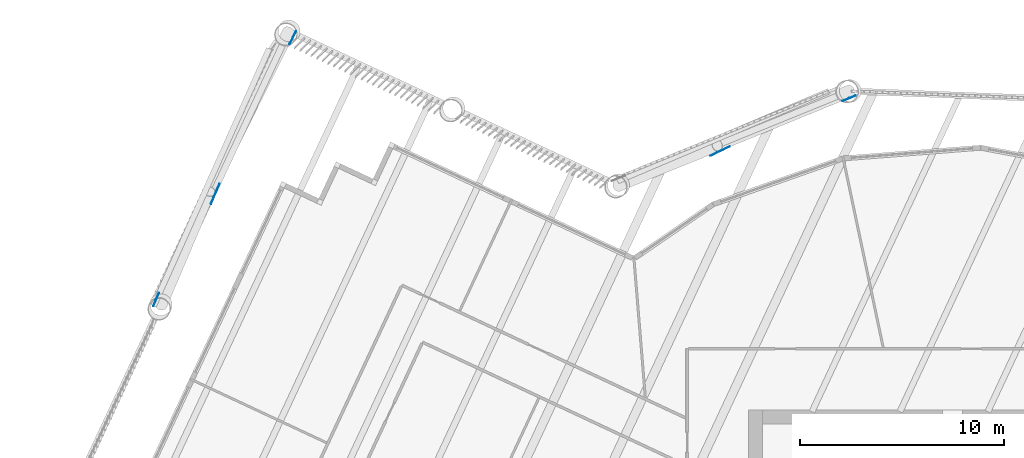
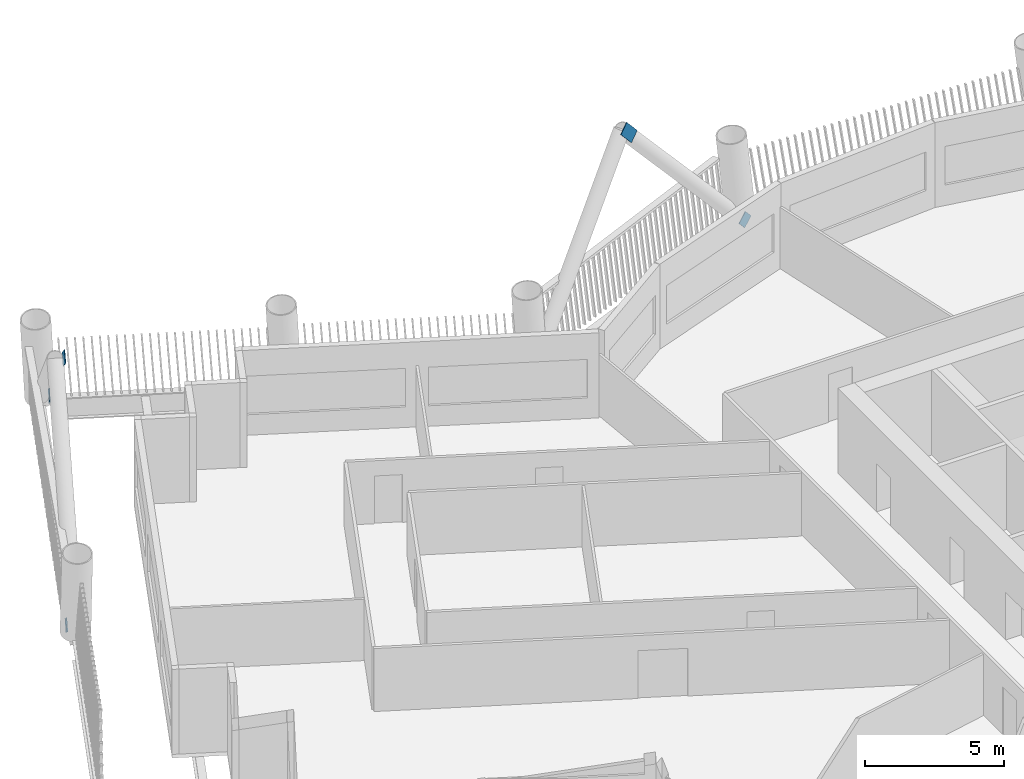
# One storey, part 11 of 24: 5 discrete accessories.
"""IFC4 building model written with IfcOpenShell, lengths in metres."""

from ifc_helpers import new_model, si_unit, direction, frame, origin, origin_2d, place, context, subcontext, project, spatial, rectangle, extrude, material, material_profile, profile_set, type_object, element, save


model = new_model("IFC4")

# Units and contexts
model_context = context("Model", 3, precision=1e-05, world=origin(), true_north=direction((0.0, 1.0)))
body_context = subcontext(model_context, "Body", "Model", "MODEL_VIEW")
ifc_project = project(units=[si_unit("LENGTHUNIT", "METRE"), si_unit("AREAUNIT", "SQUARE_METRE"), si_unit("VOLUMEUNIT", "CUBIC_METRE"), si_unit("PLANEANGLEUNIT", "RADIAN"), si_unit("MASSUNIT", "GRAM", prefix="KILO")], contexts=[model_context])

# Site, building, storey
site_placement = place(None, origin())
site = spatial("IfcSite", under=ifc_project, at=site_placement, CompositionType="ELEMENT")
building_placement = place(site_placement, origin())
building = spatial("IfcBuilding", under=site, at=building_placement, Name="Tarsis Ring Headquarters", CompositionType="ELEMENT")
storey_placement = place(building_placement, frame((0.0, 0.0, 178.800048828125)))
storey = spatial("IfcBuildingStorey", under=building, at=storey_placement, Name="L41", CompositionType="ELEMENT", Elevation=178.800048828125)

# Discrete accessories
ifc_material = material(Name="Structural steel S355", Category="steel")
ifc_material_profile = material_profile(ifc_material, rectangle(XDim=0.02490234375, YDim=0.5, at=origin_2d()), Name="PL 25x500")
ifc_profile_set = profile_set([ifc_material_profile], Name="Structural steel S355")
discrete_accessory_type = type_object("IfcDiscreteAccessoryType", Name="Gusset plate Exo brace 25", PredefinedType="BRACKET", material=ifc_profile_set)
discrete_accessory_1_placement = place(storey_placement, frame((-4.90771484375, 28.31640625, 0.0), z_axis=(-0.619187497967, -0.253437154136, 0.743220324847), x_axis=(0.378803357968, -0.925477182859, 0.0)))
element("IfcDiscreteAccessory", 1, at=discrete_accessory_1_placement, inside=storey, type_object=discrete_accessory_type, Name="Gusset plate GP5", PredefinedType="BRACKET", context=body_context, shape_type="SweptSolid", body=[
    extrude(rectangle(XDim=0.02490234375, YDim=0.5, at=origin_2d()), origin(), (0.0, 0.0, 1.0), 0.5),
])
discrete_accessory_2_placement = place(storey_placement, frame((-11.082275390625, 25.812255859375, 7.428955078125), z_axis=(-0.604092471263, -0.290569943736, 0.742052150432), x_axis=(0.433465120996, -0.901170343986, 0.0)))
element("IfcDiscreteAccessory", 2, at=discrete_accessory_2_placement, inside=storey, type_object=discrete_accessory_type, Name="Gusset plate GP5", PredefinedType="BRACKET", context=body_context, shape_type="SweptSolid", body=[
    extrude(rectangle(XDim=0.02490234375, YDim=0.5, at=origin_2d()), origin(), (0.0, 0.0, 1.0), 0.999755859375),
])
discrete_accessory_3_placement = place(storey_placement, frame((-32.218017578125, 31.394287109375, 0.0), z_axis=(-0.332464565011, -0.668346533773, 0.665417330557), x_axis=(0.895340931657, -0.445381427654, 0.0)))
element("IfcDiscreteAccessory", 3, at=discrete_accessory_3_placement, inside=storey, type_object=discrete_accessory_type, Name="Gusset plate GP5", PredefinedType="BRACKET", context=body_context, shape_type="SweptSolid", body=[
    extrude(rectangle(XDim=0.02490234375, YDim=0.5, at=origin_2d()), origin(), (0.0, 0.0, 1.0), 0.5),
])
discrete_accessory_4_placement = place(storey_placement, frame((-35.96044921875, 23.919921875, 7.468017578125), z_axis=(-0.293442400786, -0.687953981211, 0.663785264341), x_axis=(0.91981900711, -0.392342954772, 0.0)))
element("IfcDiscreteAccessory", 4, at=discrete_accessory_4_placement, inside=storey, type_object=discrete_accessory_type, Name="Gusset plate GP5", PredefinedType="BRACKET", context=body_context, shape_type="SweptSolid", body=[
    extrude(rectangle(XDim=0.02490234375, YDim=0.5, at=origin_2d()), origin(), (0.0, 0.0, 1.0), 1.0),
])
discrete_accessory_5_placement = place(storey_placement, frame((-39.06298828125, 18.2529296875, 0.0), z_axis=(0.240269177937, 0.564534897754, 0.789665164073), x_axis=(-0.920130227236, 0.391612518858, 0.0)))
element("IfcDiscreteAccessory", 5, at=discrete_accessory_5_placement, inside=storey, type_object=discrete_accessory_type, Name="Gusset plate GP5", PredefinedType="BRACKET", context=body_context, shape_type="SweptSolid", body=[
    extrude(rectangle(XDim=0.02490234375, YDim=0.5, at=origin_2d()), origin(), (0.0, 0.0, 1.0), 0.5),
])

save(model, "model.ifc")
